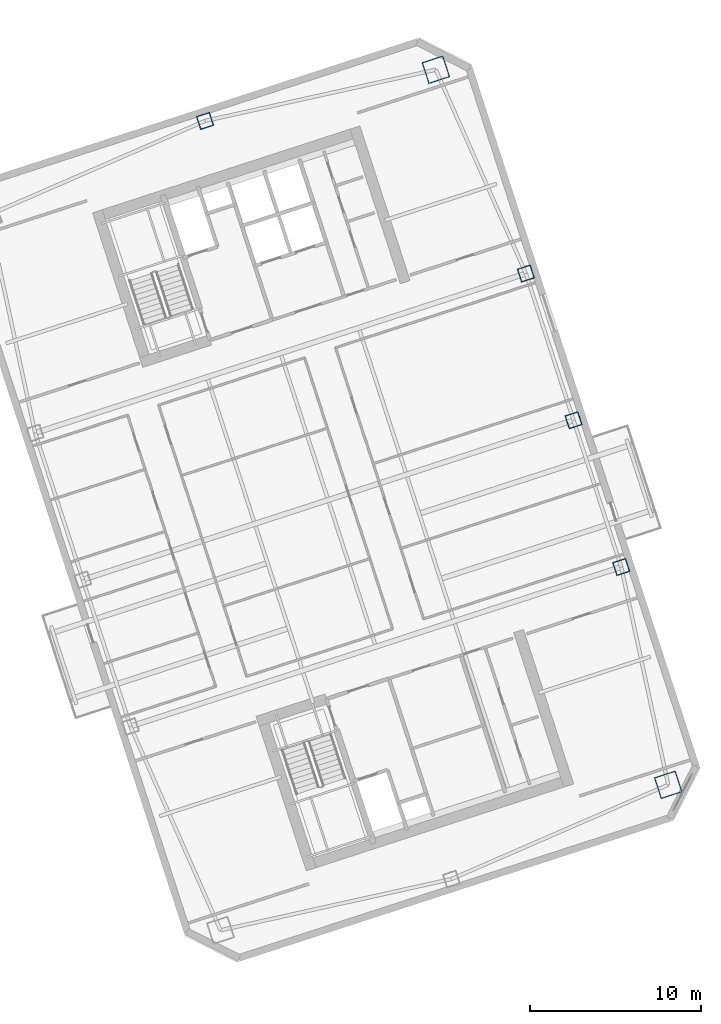
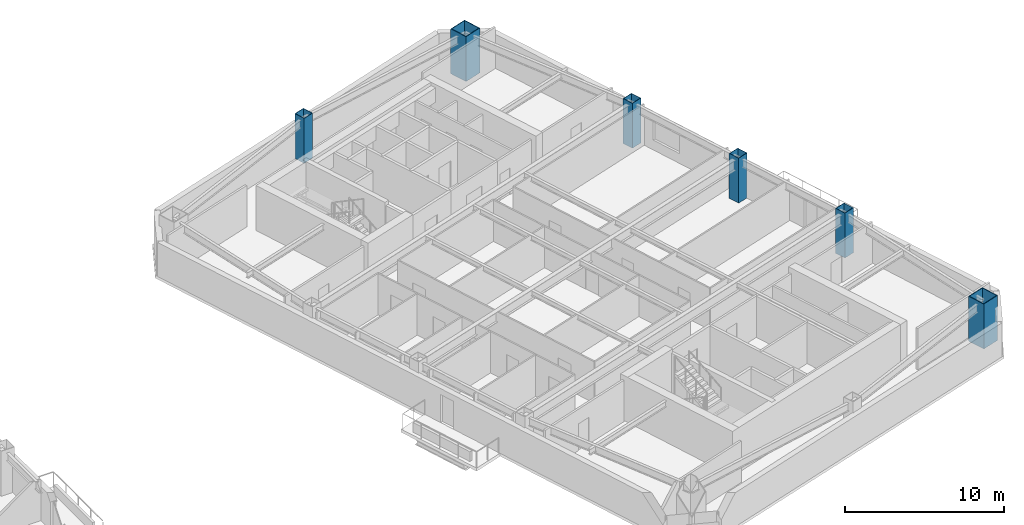
# One storey, part 2 of 22: 6 columns.
"""IFC4 building model written with IfcOpenShell, lengths in metres."""

import ifcopenshell
import ifcopenshell.guid

model = None  # the IFC model being written
_history = None  # IfcOwnerHistory: only IFC2X3 demands one
_inside = {}  # id of a spatial element -> (the spatial element, [elements in it])
_under = {}  # id of a project, library or spatial element -> (it, [spatial elements below it])
_declared = {}  # id of a project -> (the project, [libraries it declares])
_typed = {}  # id of a type object -> (the type object, [elements of that type])
_made_of = {}  # id of a material, layer set ... -> (it, [elements and type objects made of it])


def new_model(schema):
    """Start an empty IFC model of exactly this schema.

    Asked for "IFC4X3", IfcOpenShell would pick the latest addendum, in which some entities
    have other attributes; the version numbers below select the first issue.
    IFC2X3 requires an IfcOwnerHistory on every rooted entity: one is made here for all.
    """
    global model, _history
    if schema == "IFC4X3":
        model = ifcopenshell.file(schema_version=(4, 3, 0, 0))
    else:
        model = ifcopenshell.file(schema=schema)
    _inside.clear()
    _under.clear()
    _declared.clear()
    _typed.clear()
    _made_of.clear()
    _history = None
    if model.schema == "IFC2X3":
        org = make("IfcOrganization", Name="unknown")
        user = make(
            "IfcPersonAndOrganization",
            ThePerson=make("IfcPerson", FamilyName="unknown"),
            TheOrganization=org,
        )
        app = make(
            "IfcApplication",
            ApplicationDeveloper=org,
            Version="unknown",
            ApplicationFullName="unknown",
            ApplicationIdentifier="unknown",
        )
        _history = make(
            "IfcOwnerHistory",
            OwningUser=user,
            OwningApplication=app,
            ChangeAction="ADDED",
            CreationDate=0,
        )
    return model


def make(cls, **values):
    """One entity of the class cls with the attributes given. An attribute that is None is left unset."""
    return model.create_entity(
        cls, **{name: value for name, value in values.items() if value is not None}
    )


def rooted(cls, **values):
    """An entity with a GlobalId (a new one), such as an element, a storey or a relation."""
    return make(cls, GlobalId=ifcopenshell.guid.new(), OwnerHistory=_history, **values)


def si_unit(unit_type, name, prefix=None):
    """IfcSIUnit, for example si_unit("LENGTHUNIT", "METRE", prefix="MILLI")."""
    return make("IfcSIUnit", UnitType=unit_type, Prefix=prefix, Name=name)


def assignment(units):
    """IfcUnitAssignment: the units of a project."""
    return None if units is None else make("IfcUnitAssignment", Units=units)


def point(xyz):
    """IfcCartesianPoint."""
    return None if xyz is None else make("IfcCartesianPoint", Coordinates=xyz)


def direction(xyz):
    """IfcDirection."""
    return None if xyz is None else make("IfcDirection", DirectionRatios=xyz)


def frame(location, z_axis=None, x_axis=None):
    """IfcAxis2Placement3D, a coordinate frame: its origin and axes. An axis left out is left unset."""
    return make(
        "IfcAxis2Placement3D",
        Location=point(location),
        Axis=direction(z_axis),
        RefDirection=direction(x_axis),
    )


def frame_2d(location, x_axis=None):
    """IfcAxis2Placement2D, a coordinate frame in the plane: its origin and x axis."""
    return make(
        "IfcAxis2Placement2D", Location=point(location), RefDirection=direction(x_axis)
    )


def origin():
    """The frame at (0, 0, 0) with its axes left unset."""
    return frame((0.0, 0.0, 0.0))


def origin_2d():
    """The frame at (0, 0) in the plane with its x axis left unset."""
    return frame_2d((0.0, 0.0))


def place(relative_to, where):
    """IfcLocalPlacement: puts the frame where relative to a parent placement (None: the world)."""
    return make(
        "IfcLocalPlacement", PlacementRelTo=relative_to, RelativePlacement=where
    )


def context(
    kind, dimensions, precision=None, world=None, true_north=None, identifier=None
):
    """IfcGeometricRepresentationContext, for example the 3D "Model" context."""
    return make(
        "IfcGeometricRepresentationContext",
        ContextIdentifier=identifier,
        ContextType=kind,
        CoordinateSpaceDimension=dimensions,
        Precision=precision,
        WorldCoordinateSystem=world,
        TrueNorth=true_north,
    )


def subcontext(parent, identifier, kind, view, scale=None):
    """IfcGeometricRepresentationSubContext, for example "Body" below "Model"."""
    return make(
        "IfcGeometricRepresentationSubContext",
        ContextIdentifier=identifier,
        ContextType=kind,
        ParentContext=parent,
        TargetScale=scale,
        TargetView=view,
    )


def project(units=None, contexts=None):
    """IfcProject with its units and contexts."""
    return rooted(
        "IfcProject",
        Name="project",
        RepresentationContexts=contexts,
        UnitsInContext=assignment(units),
    )


def spatial(cls, under=None, at=None, **own):
    """A site, building, storey or space (cls), placed at a placement, below another one or the project."""
    s = rooted(cls, ObjectPlacement=at, **own)
    if under is not None:
        _under.setdefault(under.id(), (under, []))[1].append(s)
    return s


def profile(cls, at=None, kind="AREA", **sizes):
    """A parametric profile (cls). Its sizes go by their IFC names, for example OverallWidth=200.0."""
    return make(cls, ProfileType=kind, Position=at, **sizes)


def hollow_rectangle(**sizes):
    """IfcRectangleHollowProfileDef."""
    return profile("IfcRectangleHollowProfileDef", **sizes)


def extrude(swept, where, along, depth):
    """IfcExtrudedAreaSolid: the profile swept, set in the frame where, extruded along a direction by depth."""
    return make(
        "IfcExtrudedAreaSolid",
        SweptArea=swept,
        Position=where,
        ExtrudedDirection=direction(along),
        Depth=depth,
    )


def shape(context_of_items, identifier, shape_type, items):
    """IfcShapeRepresentation: the items that make up one representation, for example the "Body"."""
    return make(
        "IfcShapeRepresentation",
        ContextOfItems=context_of_items,
        RepresentationIdentifier=identifier,
        RepresentationType=shape_type,
        Items=items,
    )


def material(Name=None, Category=None):
    """IfcMaterial."""
    return make("IfcMaterial", Name=Name, Category=Category)


def material_profile(
    of_material, cross_section, Name=None, Category=None, Priority=None
):
    """IfcMaterialProfile: a cross section and its material."""
    return make(
        "IfcMaterialProfile",
        Name=Name,
        Material=of_material,
        Profile=cross_section,
        Priority=Priority,
        Category=Category,
    )


def profile_set(profiles, Name=None, composite=None):
    """IfcMaterialProfileSet."""
    return make(
        "IfcMaterialProfileSet",
        Name=Name,
        MaterialProfiles=profiles,
        CompositeProfile=composite,
    )


def made_of(thing, what):
    """Note that an element or type object is made of a material, layer set ...; save() writes the relation."""
    if what is not None:
        _made_of.setdefault(what.id(), (what, []))[1].append(thing)
    return thing


def type_object(cls, material=None, **own):
    """A type object (cls), such as IfcWallType, which elements share."""
    return made_of(rooted(cls, **own), material)


def element(
    cls,
    number,
    at=None,
    inside=None,
    cuts=None,
    type_object=None,
    material=None,
    context=None,
    identifier="Body",
    shape_type=None,
    held_by="IfcProductDefinitionShape",
    body=None,
    shapes=None,
    **own,
):
    """One element of the class cls, such as IfcWall. Its Tag is "e" and its number.

    at: its placement. inside: the storey or other place that contains it. cuts: it is an
    opening in that element (IfcRelVoidsElement). A single representation is given by context,
    identifier, shape_type and body (its items); several are given by shapes. held_by: the class
    of the entity that holds the representations. save() writes the other relations.
    """
    e = rooted(cls, Tag="e%d" % number, ObjectPlacement=at, **own)
    if body is not None:
        shapes = [shape(context, identifier, shape_type, body)]
    if shapes is not None:
        e.Representation = make(held_by, Representations=shapes)
    if inside is not None:
        _inside.setdefault(inside.id(), (inside, []))[1].append(e)
    if cuts is not None:
        rooted(
            "IfcRelVoidsElement", RelatingBuildingElement=cuts, RelatedOpeningElement=e
        )
    if type_object is not None:
        _typed.setdefault(type_object.id(), (type_object, []))[1].append(e)
    return made_of(e, material)


def aggregate(whole, parts):
    """IfcRelAggregates: a whole, such as a stair, and the parts it consists of."""
    return rooted("IfcRelAggregates", RelatingObject=whole, RelatedObjects=parts)


def save(model, path):
    """Write the relations noted so far, then the file.

    IfcRelAggregates (storeys below a building ...), IfcRelContainedInSpatialStructure (elements
    in a storey), IfcRelDefinesByType, IfcRelAssociatesMaterial and IfcRelDeclares: one each for
    every whole, place, type object, material and project.
    """
    for whole, parts in _under.values():
        aggregate(whole, parts)
    for where, things in _inside.values():
        rooted(
            "IfcRelContainedInSpatialStructure",
            RelatedElements=things,
            RelatingStructure=where,
        )
    for kind, things in _typed.values():
        rooted("IfcRelDefinesByType", RelatedObjects=things, RelatingType=kind)
    for what, things in _made_of.values():
        rooted("IfcRelAssociatesMaterial", RelatedObjects=things, RelatingMaterial=what)
    for by, libraries in _declared.values():
        rooted("IfcRelDeclares", RelatingContext=by, RelatedDefinitions=libraries)
    model.write(path)


model = new_model("IFC4")

# Units and contexts
model_context = context("Model", 3, precision=1e-05, world=origin(), true_north=direction((0.0, 1.0)))
body_context = subcontext(model_context, "Body", "Model", "MODEL_VIEW")
ifc_project = project(units=[si_unit("LENGTHUNIT", "METRE"), si_unit("AREAUNIT", "SQUARE_METRE"), si_unit("VOLUMEUNIT", "CUBIC_METRE"), si_unit("PLANEANGLEUNIT", "RADIAN"), si_unit("MASSUNIT", "GRAM", prefix="KILO")], contexts=[model_context])

# Site, building, storey
site_placement = place(None, origin())
site = spatial("IfcSite", under=ifc_project, at=site_placement, CompositionType="ELEMENT")
building_placement = place(site_placement, origin())
building = spatial("IfcBuilding", under=site, at=building_placement, Name="Qiaolan Cultural Towers", CompositionType="ELEMENT")
storey_placement = place(building_placement, frame((0.0, 0.0, 146.050048828125)))
storey = spatial("IfcBuildingStorey", under=building, at=storey_placement, Name="L38", CompositionType="ELEMENT", Elevation=146.050048828125)

# Columns
ifc_material_1 = material(Name="Steel Q390GJB", Category="steel")
ifc_material_profile_1 = material_profile(ifc_material_1, hollow_rectangle(XDim=1.300048828125, YDim=1.300048828125, WallThickness=0.044921875, at=origin_2d()), Name="BOX1300x1300x45")
ifc_profile_set_1 = profile_set([ifc_material_profile_1], Name="Steel Q390GJB")
column_type_1 = type_object("IfcColumnType", Name="COL-BOX1300x1300x45", PredefinedType="COLUMN", material=ifc_profile_set_1)
for number, where, z_axis, x_axis, name in (
    (1, (109.834716796875, 17.38623046875, 0.0), (0.0, 0.0, 1.0), (0.951056516295, 0.309016994375, 0.0), "L38 T2 Perimeter Column MC-SE"),
    (2, (96.28125, 59.099365234375, 0.0), (0.0, 0.0, 1.0), (0.951056516295, 0.309016994375, 0.0), "L38 T2 Perimeter Column MC-NE"),
):
    element("IfcColumn", number, at=place(storey_placement, frame(where, z_axis=z_axis, x_axis=x_axis)), inside=storey, type_object=column_type_1, Name=name, PredefinedType="COLUMN", context=body_context, shape_type="SweptSolid", body=[
        extrude(hollow_rectangle(XDim=1.300048828125, YDim=1.300048828125, WallThickness=0.044921875, at=origin_2d()), origin(), (0.0, 0.0, 1.0), 3.450927734375),
    ])
ifc_material_2 = material(Name="Steel Q355B", Category="steel")
ifc_material_profile_2 = material_profile(ifc_material_2, hollow_rectangle(XDim=0.800048828125, YDim=0.800048828125, WallThickness=0.028076171875, at=origin_2d()), Name="BOX800x800x28")
ifc_profile_set_2 = profile_set([ifc_material_profile_2], Name="Steel Q355B")
column_type_2 = type_object("IfcColumnType", Name="COL-BOX800x800x28", PredefinedType="COLUMN", material=ifc_profile_set_2)
for number, where, z_axis, x_axis, name in (
    (3, (107.094482421875, 30.09130859375, 0.0), (0.0, 0.0, 1.0), (0.951056516295, 0.309016994375, 0.0), "L38 T2 Perimeter Column PC-E1"),
    (4, (104.3134765625, 38.650634765625, 0.0), (0.0, 0.0, 1.0), (0.951056516295, 0.309016994375, 0.0), "L38 T2 Perimeter Column PC-E2"),
    (5, (101.5322265625, 47.210205078125, 0.0), (0.0, 0.0, 1.0), (0.951056516295, 0.309016994375, 0.0), "L38 T2 Perimeter Column PC-E3"),
    (6, (82.8154296875, 56.112060546875, 0.0), (0.0, 0.0, 1.0), (0.951056516295, 0.309016994375, 0.0), "L38 T2 Perimeter Column PC-N0"),
):
    element("IfcColumn", number, at=place(storey_placement, frame(where, z_axis=z_axis, x_axis=x_axis)), inside=storey, type_object=column_type_2, Name=name, PredefinedType="COLUMN", context=body_context, shape_type="SweptSolid", body=[
        extrude(hollow_rectangle(XDim=0.800048828125, YDim=0.800048828125, WallThickness=0.028076171875, at=origin_2d()), origin(), (0.0, 0.0, 1.0), 3.450927734375),
    ])

save(model, "model.ifc")
